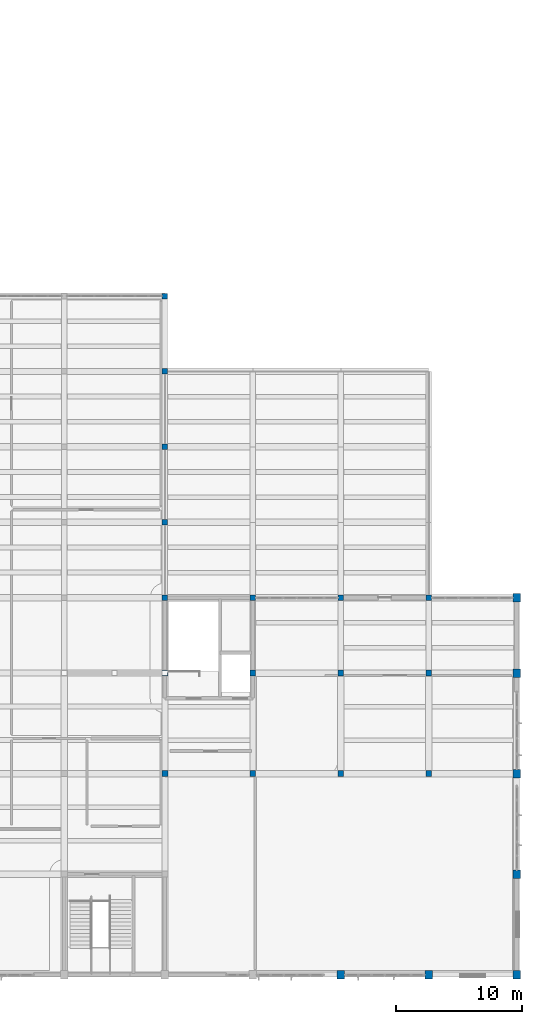
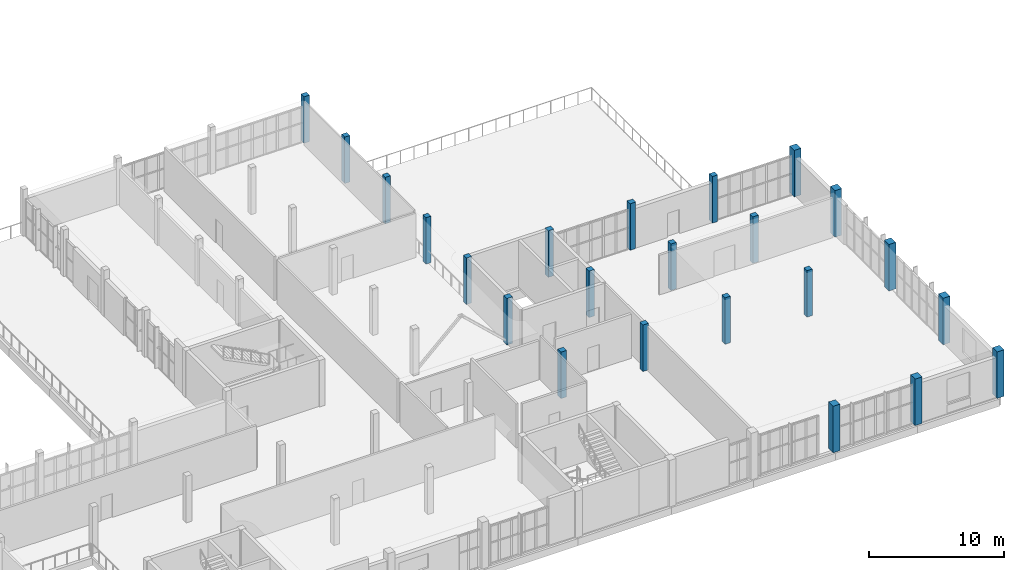
# One storey, part 3 of 70: 23 columns.
"""IFC4 building model written with IfcOpenShell, lengths in metres."""

import ifcopenshell
import ifcopenshell.guid

model = None  # the IFC model being written
_history = None  # IfcOwnerHistory: only IFC2X3 demands one
_inside = {}  # id of a spatial element -> (the spatial element, [elements in it])
_under = {}  # id of a project, library or spatial element -> (it, [spatial elements below it])
_declared = {}  # id of a project -> (the project, [libraries it declares])
_typed = {}  # id of a type object -> (the type object, [elements of that type])
_made_of = {}  # id of a material, layer set ... -> (it, [elements and type objects made of it])


def new_model(schema):
    """Start an empty IFC model of exactly this schema.

    Asked for "IFC4X3", IfcOpenShell would pick the latest addendum, in which some entities
    have other attributes; the version numbers below select the first issue.
    IFC2X3 requires an IfcOwnerHistory on every rooted entity: one is made here for all.
    """
    global model, _history
    if schema == "IFC4X3":
        model = ifcopenshell.file(schema_version=(4, 3, 0, 0))
    else:
        model = ifcopenshell.file(schema=schema)
    _inside.clear()
    _under.clear()
    _declared.clear()
    _typed.clear()
    _made_of.clear()
    _history = None
    if model.schema == "IFC2X3":
        org = make("IfcOrganization", Name="unknown")
        user = make(
            "IfcPersonAndOrganization",
            ThePerson=make("IfcPerson", FamilyName="unknown"),
            TheOrganization=org,
        )
        app = make(
            "IfcApplication",
            ApplicationDeveloper=org,
            Version="unknown",
            ApplicationFullName="unknown",
            ApplicationIdentifier="unknown",
        )
        _history = make(
            "IfcOwnerHistory",
            OwningUser=user,
            OwningApplication=app,
            ChangeAction="ADDED",
            CreationDate=0,
        )
    return model


def make(cls, **values):
    """One entity of the class cls with the attributes given. An attribute that is None is left unset."""
    return model.create_entity(
        cls, **{name: value for name, value in values.items() if value is not None}
    )


def rooted(cls, **values):
    """An entity with a GlobalId (a new one), such as an element, a storey or a relation."""
    return make(cls, GlobalId=ifcopenshell.guid.new(), OwnerHistory=_history, **values)


def si_unit(unit_type, name, prefix=None):
    """IfcSIUnit, for example si_unit("LENGTHUNIT", "METRE", prefix="MILLI")."""
    return make("IfcSIUnit", UnitType=unit_type, Prefix=prefix, Name=name)


def assignment(units):
    """IfcUnitAssignment: the units of a project."""
    return None if units is None else make("IfcUnitAssignment", Units=units)


def point(xyz):
    """IfcCartesianPoint."""
    return None if xyz is None else make("IfcCartesianPoint", Coordinates=xyz)


def direction(xyz):
    """IfcDirection."""
    return None if xyz is None else make("IfcDirection", DirectionRatios=xyz)


def frame(location, z_axis=None, x_axis=None):
    """IfcAxis2Placement3D, a coordinate frame: its origin and axes. An axis left out is left unset."""
    return make(
        "IfcAxis2Placement3D",
        Location=point(location),
        Axis=direction(z_axis),
        RefDirection=direction(x_axis),
    )


def frame_2d(location, x_axis=None):
    """IfcAxis2Placement2D, a coordinate frame in the plane: its origin and x axis."""
    return make(
        "IfcAxis2Placement2D", Location=point(location), RefDirection=direction(x_axis)
    )


def origin():
    """The frame at (0, 0, 0) with its axes left unset."""
    return frame((0.0, 0.0, 0.0))


def origin_2d():
    """The frame at (0, 0) in the plane with its x axis left unset."""
    return frame_2d((0.0, 0.0))


def place(relative_to, where):
    """IfcLocalPlacement: puts the frame where relative to a parent placement (None: the world)."""
    return make(
        "IfcLocalPlacement", PlacementRelTo=relative_to, RelativePlacement=where
    )


def context(
    kind, dimensions, precision=None, world=None, true_north=None, identifier=None
):
    """IfcGeometricRepresentationContext, for example the 3D "Model" context."""
    return make(
        "IfcGeometricRepresentationContext",
        ContextIdentifier=identifier,
        ContextType=kind,
        CoordinateSpaceDimension=dimensions,
        Precision=precision,
        WorldCoordinateSystem=world,
        TrueNorth=true_north,
    )


def subcontext(parent, identifier, kind, view, scale=None):
    """IfcGeometricRepresentationSubContext, for example "Body" below "Model"."""
    return make(
        "IfcGeometricRepresentationSubContext",
        ContextIdentifier=identifier,
        ContextType=kind,
        ParentContext=parent,
        TargetScale=scale,
        TargetView=view,
    )


def project(units=None, contexts=None):
    """IfcProject with its units and contexts."""
    return rooted(
        "IfcProject",
        Name="project",
        RepresentationContexts=contexts,
        UnitsInContext=assignment(units),
    )


def spatial(cls, under=None, at=None, **own):
    """A site, building, storey or space (cls), placed at a placement, below another one or the project."""
    s = rooted(cls, ObjectPlacement=at, **own)
    if under is not None:
        _under.setdefault(under.id(), (under, []))[1].append(s)
    return s


def profile(cls, at=None, kind="AREA", **sizes):
    """A parametric profile (cls). Its sizes go by their IFC names, for example OverallWidth=200.0."""
    return make(cls, ProfileType=kind, Position=at, **sizes)


def rectangle(**sizes):
    """IfcRectangleProfileDef."""
    return profile("IfcRectangleProfileDef", **sizes)


def extrude(swept, where, along, depth):
    """IfcExtrudedAreaSolid: the profile swept, set in the frame where, extruded along a direction by depth."""
    return make(
        "IfcExtrudedAreaSolid",
        SweptArea=swept,
        Position=where,
        ExtrudedDirection=direction(along),
        Depth=depth,
    )


def shape(context_of_items, identifier, shape_type, items):
    """IfcShapeRepresentation: the items that make up one representation, for example the "Body"."""
    return make(
        "IfcShapeRepresentation",
        ContextOfItems=context_of_items,
        RepresentationIdentifier=identifier,
        RepresentationType=shape_type,
        Items=items,
    )


def material(Name=None, Category=None):
    """IfcMaterial."""
    return make("IfcMaterial", Name=Name, Category=Category)


def material_profile(
    of_material, cross_section, Name=None, Category=None, Priority=None
):
    """IfcMaterialProfile: a cross section and its material."""
    return make(
        "IfcMaterialProfile",
        Name=Name,
        Material=of_material,
        Profile=cross_section,
        Priority=Priority,
        Category=Category,
    )


def profile_set(profiles, Name=None, composite=None):
    """IfcMaterialProfileSet."""
    return make(
        "IfcMaterialProfileSet",
        Name=Name,
        MaterialProfiles=profiles,
        CompositeProfile=composite,
    )


def made_of(thing, what):
    """Note that an element or type object is made of a material, layer set ...; save() writes the relation."""
    if what is not None:
        _made_of.setdefault(what.id(), (what, []))[1].append(thing)
    return thing


def type_object(cls, material=None, **own):
    """A type object (cls), such as IfcWallType, which elements share."""
    return made_of(rooted(cls, **own), material)


def element(
    cls,
    number,
    at=None,
    inside=None,
    cuts=None,
    type_object=None,
    material=None,
    context=None,
    identifier="Body",
    shape_type=None,
    held_by="IfcProductDefinitionShape",
    body=None,
    shapes=None,
    **own,
):
    """One element of the class cls, such as IfcWall. Its Tag is "e" and its number.

    at: its placement. inside: the storey or other place that contains it. cuts: it is an
    opening in that element (IfcRelVoidsElement). A single representation is given by context,
    identifier, shape_type and body (its items); several are given by shapes. held_by: the class
    of the entity that holds the representations. save() writes the other relations.
    """
    e = rooted(cls, Tag="e%d" % number, ObjectPlacement=at, **own)
    if body is not None:
        shapes = [shape(context, identifier, shape_type, body)]
    if shapes is not None:
        e.Representation = make(held_by, Representations=shapes)
    if inside is not None:
        _inside.setdefault(inside.id(), (inside, []))[1].append(e)
    if cuts is not None:
        rooted(
            "IfcRelVoidsElement", RelatingBuildingElement=cuts, RelatedOpeningElement=e
        )
    if type_object is not None:
        _typed.setdefault(type_object.id(), (type_object, []))[1].append(e)
    return made_of(e, material)


def aggregate(whole, parts):
    """IfcRelAggregates: a whole, such as a stair, and the parts it consists of."""
    return rooted("IfcRelAggregates", RelatingObject=whole, RelatedObjects=parts)


def save(model, path):
    """Write the relations noted so far, then the file.

    IfcRelAggregates (storeys below a building ...), IfcRelContainedInSpatialStructure (elements
    in a storey), IfcRelDefinesByType, IfcRelAssociatesMaterial and IfcRelDeclares: one each for
    every whole, place, type object, material and project.
    """
    for whole, parts in _under.values():
        aggregate(whole, parts)
    for where, things in _inside.values():
        rooted(
            "IfcRelContainedInSpatialStructure",
            RelatedElements=things,
            RelatingStructure=where,
        )
    for kind, things in _typed.values():
        rooted("IfcRelDefinesByType", RelatedObjects=things, RelatingType=kind)
    for what, things in _made_of.values():
        rooted("IfcRelAssociatesMaterial", RelatedObjects=things, RelatingMaterial=what)
    for by, libraries in _declared.values():
        rooted("IfcRelDeclares", RelatingContext=by, RelatedDefinitions=libraries)
    model.write(path)


model = new_model("IFC4")

# Units and contexts
model_context = context("Model", 3, precision=1e-05, world=origin(), true_north=direction((0.0, 1.0)))
body_context = subcontext(model_context, "Body", "Model", "MODEL_VIEW")
ifc_project = project(units=[si_unit("LENGTHUNIT", "METRE"), si_unit("AREAUNIT", "SQUARE_METRE"), si_unit("VOLUMEUNIT", "CUBIC_METRE"), si_unit("PLANEANGLEUNIT", "RADIAN"), si_unit("MASSUNIT", "GRAM", prefix="KILO")], contexts=[model_context])

# Site, building, storey
site_placement = place(None, origin())
site = spatial("IfcSite", under=ifc_project, at=site_placement, CompositionType="ELEMENT")
building_placement = place(site_placement, origin())
building = spatial("IfcBuilding", under=site, at=building_placement, Name="Solvane Community Centre", CompositionType="ELEMENT")
storey_placement = place(building_placement, frame((0.0, 0.0, 9.60009765625)))
storey = spatial("IfcBuildingStorey", under=building, at=storey_placement, Name="L02", CompositionType="ELEMENT", Elevation=9.60009765625)

# Columns
ifc_material_1 = material(Name="Precast concrete C35/45", Category="concrete")
ifc_material_profile_1 = material_profile(ifc_material_1, rectangle(XDim=0.580078125, YDim=0.679931640625, at=origin_2d()), Name="RC 580x680")
ifc_profile_set_1 = profile_set([ifc_material_profile_1], Name="Precast concrete C35/45")
column_type_1 = type_object("IfcColumnType", Name="Art Deco Corner Pilaster 580x680", PredefinedType="PILASTER", material=ifc_profile_set_1)
for number, where, z_axis, x_axis, name in (
    (1, (154.0, 6.0, 0.0), (0.0, 0.0, 1.0), (1.0, 0.0, 0.0), "Column COL-L02-22-A"),
    (2, (161.0, 6.0, 0.0), (0.0, 0.0, 1.0), (1.0, 0.0, 0.0), "Column COL-L02-23-A"),
    (3, (168.0, 6.0, 0.0), (0.0, 0.0, 1.0), (1.0, 0.0, 0.0), "Column COL-L02-24-A"),
    (4, (168.0, 14.0, 0.0), (0.0, 0.0, 1.0), (1.0, 0.0, 0.0), "Column COL-L02-24-B"),
    (5, (168.0, 22.0, 0.0), (0.0, 0.0, 1.0), (1.0, 0.0, 0.0), "Column COL-L02-24-C"),
    (6, (168.0, 30.0, 0.0), (0.0, 0.0, 1.0), (1.0, 0.0, 0.0), "Column COL-L02-24-D"),
    (7, (168.0, 36.0, 0.0), (0.0, 0.0, 1.0), (1.0, 0.0, 0.0), "Column COL-L02-24-E"),
):
    element("IfcColumn", number, at=place(storey_placement, frame(where, z_axis=z_axis, x_axis=x_axis)), inside=storey, type_object=column_type_1, Name=name, PredefinedType="PILASTER", context=body_context, shape_type="SweptSolid", body=[
        extrude(rectangle(XDim=0.580078125, YDim=0.679931640625, at=origin_2d()), origin(), (0.0, 0.0, 1.0), 4.199951171875),
    ])
ifc_material_2 = material(Name="Glulam GL32h", Category="wood")
ifc_material_profile_2 = material_profile(ifc_material_2, rectangle(XDim=0.43994140625, YDim=0.43994140625, at=origin_2d()), Name="GL32h 440x440")
ifc_profile_set_2 = profile_set([ifc_material_profile_2], Name="Glulam GL32h")
column_type_2 = type_object("IfcColumnType", Name="Glulam Column 440x440", PredefinedType="COLUMN", material=ifc_profile_set_2)
for number, where, z_axis, x_axis, name in (
    (8, (140.0, 36.0, 0.0), (0.0, 0.0, 1.0), (1.0, 0.0, 0.0), "Column COL-L02-20-E"),
    (9, (140.0, 42.0, 0.0), (0.0, 0.0, 1.0), (1.0, 0.0, 0.0), "Column COL-L02-20-F"),
    (10, (140.0, 48.0, 0.0), (0.0, 0.0, 1.0), (1.0, 0.0, 0.0), "Column COL-L02-20-G"),
    (11, (140.0, 54.0, 0.0), (0.0, 0.0, 1.0), (1.0, 0.0, 0.0), "Column COL-L02-20-H"),
    (12, (140.0, 60.0, 0.0), (0.0, 0.0, 1.0), (1.0, 0.0, 0.0), "Column COL-L02-20-J"),
):
    element("IfcColumn", number, at=place(storey_placement, frame(where, z_axis=z_axis, x_axis=x_axis)), inside=storey, type_object=column_type_2, Name=name, PredefinedType="COLUMN", context=body_context, shape_type="SweptSolid", body=[
        extrude(rectangle(XDim=0.43994140625, YDim=0.43994140625, at=origin_2d()), origin(), (0.0, 0.0, 1.0), 4.199951171875),
    ])
ifc_material_profile_3 = material_profile(ifc_material_2, rectangle(XDim=0.47998046875, YDim=0.47998046875, at=origin_2d()), Name="GL32h 480x480")
ifc_profile_set_3 = profile_set([ifc_material_profile_3], Name="Glulam GL32h")
column_type_3 = type_object("IfcColumnType", Name="Glulam Heavy Column 480x480", PredefinedType="COLUMN", material=ifc_profile_set_3)
for number, where, z_axis, x_axis, name in (
    (13, (140.0, 22.0, 0.0), (0.0, 0.0, 1.0), (1.0, 0.0, 0.0), "Column COL-L02-20-C"),
    (14, (140.0, 30.0, 0.0), (0.0, 0.0, 1.0), (1.0, 0.0, 0.0), "Column COL-L02-20-D"),
):
    element("IfcColumn", number, at=place(storey_placement, frame(where, z_axis=z_axis, x_axis=x_axis)), inside=storey, type_object=column_type_3, Name=name, PredefinedType="COLUMN", context=body_context, shape_type="SweptSolid", body=[
        extrude(rectangle(XDim=0.47998046875, YDim=0.47998046875, at=origin_2d()), origin(), (0.0, 0.0, 1.0), 4.199951171875),
    ])
ifc_material_profile_4 = material_profile(ifc_material_2, rectangle(XDim=0.4599609375, YDim=0.4599609375, at=origin_2d()), Name="GL32h 460x460")
ifc_profile_set_4 = profile_set([ifc_material_profile_4], Name="Glulam GL32h")
column_type_4 = type_object("IfcColumnType", Name="Glulam Mid Column 460x460", PredefinedType="COLUMN", material=ifc_profile_set_4)
for number, where, z_axis, x_axis, name in (
    (15, (147.0, 22.0, 0.0), (0.0, 0.0, 1.0), (1.0, 0.0, 0.0), "Column COL-L02-21-C"),
    (16, (147.0, 30.0, 0.0), (0.0, 0.0, 1.0), (1.0, 0.0, 0.0), "Column COL-L02-21-D"),
    (17, (147.0, 36.0, 0.0), (0.0, 0.0, 1.0), (1.0, 0.0, 0.0), "Column COL-L02-21-E"),
    (18, (154.0, 22.0, 0.0), (0.0, 0.0, 1.0), (1.0, 0.0, 0.0), "Column COL-L02-22-C"),
    (19, (154.0, 30.0, 0.0), (0.0, 0.0, 1.0), (1.0, 0.0, 0.0), "Column COL-L02-22-D"),
    (20, (154.0, 36.0, 0.0), (0.0, 0.0, 1.0), (1.0, 0.0, 0.0), "Column COL-L02-22-E"),
    (21, (161.0, 22.0, 0.0), (0.0, 0.0, 1.0), (1.0, 0.0, 0.0), "Column COL-L02-23-C"),
    (22, (161.0, 30.0, 0.0), (0.0, 0.0, 1.0), (1.0, 0.0, 0.0), "Column COL-L02-23-D"),
    (23, (161.0, 36.0, 0.0), (0.0, 0.0, 1.0), (1.0, 0.0, 0.0), "Column COL-L02-23-E"),
):
    element("IfcColumn", number, at=place(storey_placement, frame(where, z_axis=z_axis, x_axis=x_axis)), inside=storey, type_object=column_type_4, Name=name, PredefinedType="COLUMN", context=body_context, shape_type="SweptSolid", body=[
        extrude(rectangle(XDim=0.4599609375, YDim=0.4599609375, at=origin_2d()), origin(), (0.0, 0.0, 1.0), 4.199951171875),
    ])

save(model, "model.ifc")
